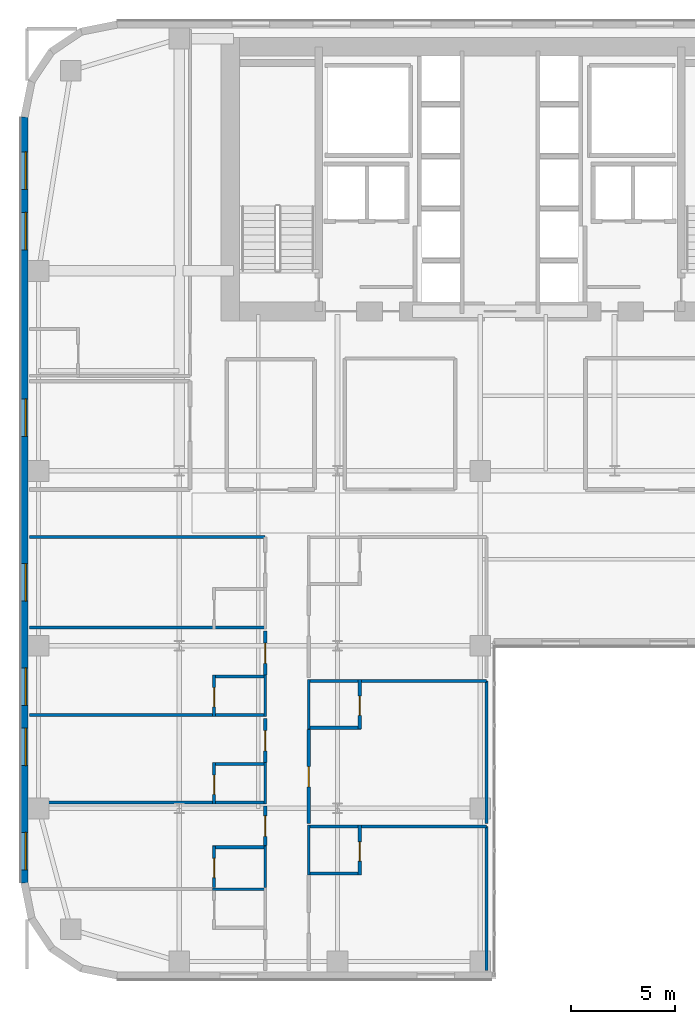
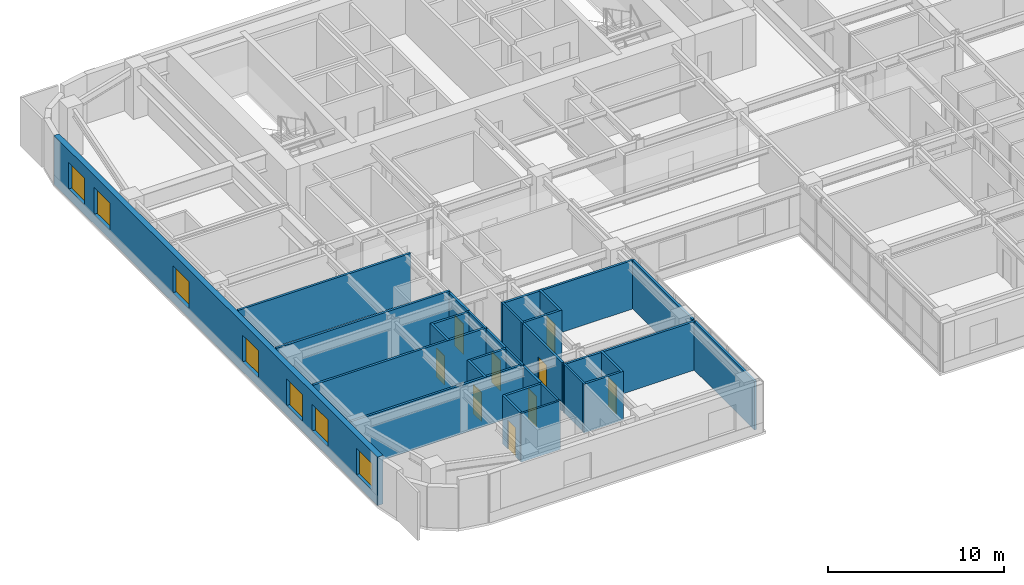
# One storey, part 14 of 25: 31 walls, 9 doors, 7 windows, 16 openings.
"""IFC4 building model written with IfcOpenShell, lengths in metres."""

from ifc_helpers import new_model, si_unit, direction, frame, frame_2d, origin, place, context, subcontext, project, spatial, rectangle, extrude, source, transform, mapped, material, layer, layer_set, type_object, type_shapes, element, fill, save


model = new_model("IFC4")

# Units and contexts
model_context = context("Model", 3, precision=1e-05, world=origin(), true_north=direction((0.0, 1.0)))
body_context = subcontext(model_context, "Body", "Model", "MODEL_VIEW")
ifc_project = project(units=[si_unit("LENGTHUNIT", "METRE"), si_unit("AREAUNIT", "SQUARE_METRE"), si_unit("VOLUMEUNIT", "CUBIC_METRE"), si_unit("PLANEANGLEUNIT", "RADIAN"), si_unit("MASSUNIT", "GRAM", prefix="KILO")], contexts=[model_context])

# Site, building, storey
site_placement = place(None, origin())
site = spatial("IfcSite", under=ifc_project, at=site_placement, CompositionType="ELEMENT")
building_placement = place(site_placement, origin())
building = spatial("IfcBuilding", under=site, at=building_placement, Name="Tolvann Quenvar Hotel", CompositionType="ELEMENT")
storey_placement = place(building_placement, frame((0.0, 0.0, 39.10009765625)))
storey = spatial("IfcBuildingStorey", under=building, at=storey_placement, Name="L08", CompositionType="ELEMENT", Elevation=39.10009765625)

# Wall, openings, windows
ifc_material_1 = material(Name="Kiln-fired red and buff architectural clay brickwork and terracotta masonry", Category="masonry")
ifc_layer_1 = layer(ifc_material_1, 0.35009765625)
ifc_layer_set_1 = layer_set([ifc_layer_1], Name="Kiln-fired red and buff architectural clay brickwork and terracotta masonry")
wall_type_1 = type_object("IfcWallType", Name="WALL_EXT_BRICK_350", PredefinedType="SOLIDWALL", material=ifc_layer_set_1)
wall_1_placement = place(storey_placement, frame((0.175048828125, 41.3828125, 0.0), z_axis=(0.0, 0.0, 1.0), x_axis=(0.0, -1.0, 0.0)))
wall_1 = element("IfcWall", 1, at=wall_1_placement, inside=storey, type_object=wall_type_1, Name="Exterior Chicago Brick Wall L08-E23", PredefinedType="SOLIDWALL", context=body_context, shape_type="SweptSolid", body=[
    extrude(rectangle(XDim=36.765625, YDim=0.35009765625, at=frame_2d((18.3828125, 0.0))), origin(), (0.0, 0.0, 1.0), 3.369873046875),
])
opening_1_placement = place(wall_1_placement, frame((1.676025390625, 0.0, 0.679931640625)))
opening_1 = element("IfcOpeningElement", 2, at=opening_1_placement, cuts=wall_1, Name="Opening W-03", PredefinedType="OPENING", context=body_context, shape_type="SweptSolid", body=[
    extrude(rectangle(XDim=1.800048828125, YDim=1.85009765625, at=frame_2d((0.89990234375, 0.925048828125))), frame((0.0, 0.18505859375, 0.0), z_axis=(0.0, -1.0, 0.0), x_axis=(1.0, 0.0, 0.0)), (0.0, 0.0, 1.0), 0.3701171875),
])
opening_2_placement = place(wall_1_placement, frame((4.577880859375, 0.0, 0.679931640625)))
opening_2 = element("IfcOpeningElement", 3, at=opening_2_placement, cuts=wall_1, Name="Opening W-03", PredefinedType="OPENING", context=body_context, shape_type="SweptSolid", body=[
    extrude(rectangle(XDim=1.800048828125, YDim=1.85009765625, at=frame_2d((0.89990234375, 0.925048828125))), frame((0.0, 0.18505859375, 0.0), z_axis=(0.0, -1.0, 0.0), x_axis=(1.0, 0.0, 0.0)), (0.0, 0.0, 1.0), 0.3701171875),
])
opening_3_placement = place(wall_1_placement, frame((13.531005859375, 0.0, 0.679931640625)))
opening_3 = element("IfcOpeningElement", 4, at=opening_3_placement, cuts=wall_1, Name="Opening W-03", PredefinedType="OPENING", context=body_context, shape_type="SweptSolid", body=[
    extrude(rectangle(XDim=1.800048828125, YDim=1.85009765625, at=frame_2d((0.89990234375, 0.925048828125))), frame((0.0, 0.18505859375, 0.0), z_axis=(0.0, -1.0, 0.0), x_axis=(1.0, 0.0, 0.0)), (0.0, 0.0, 1.0), 0.3701171875),
])
opening_4_placement = place(wall_1_placement, frame((21.43505859375, 0.0, 0.679931640625)))
opening_4 = element("IfcOpeningElement", 5, at=opening_4_placement, cuts=wall_1, Name="Opening W-03", PredefinedType="OPENING", context=body_context, shape_type="SweptSolid", body=[
    extrude(rectangle(XDim=1.800048828125, YDim=1.85009765625, at=frame_2d((0.89990234375, 0.925048828125))), frame((0.0, 0.18505859375, 0.0), z_axis=(0.0, -1.0, 0.0), x_axis=(1.0, 0.0, 0.0)), (0.0, 0.0, 1.0), 0.3701171875),
])
opening_5_placement = place(wall_1_placement, frame((26.43603515625, 0.0, 0.679931640625)))
opening_5 = element("IfcOpeningElement", 6, at=opening_5_placement, cuts=wall_1, Name="Opening W-03", PredefinedType="OPENING", context=body_context, shape_type="SweptSolid", body=[
    extrude(rectangle(XDim=1.800048828125, YDim=1.85009765625, at=frame_2d((0.89990234375, 0.925048828125))), frame((0.0, 0.18505859375, 0.0), z_axis=(0.0, -1.0, 0.0), x_axis=(1.0, 0.0, 0.0)), (0.0, 0.0, 1.0), 0.3701171875),
])
opening_6_placement = place(wall_1_placement, frame((29.337890625, 0.0, 0.679931640625)))
opening_6 = element("IfcOpeningElement", 7, at=opening_6_placement, cuts=wall_1, Name="Opening W-03", PredefinedType="OPENING", context=body_context, shape_type="SweptSolid", body=[
    extrude(rectangle(XDim=1.800048828125, YDim=1.85009765625, at=frame_2d((0.89990234375, 0.925048828125))), frame((0.0, 0.18505859375, 0.0), z_axis=(0.0, -1.0, 0.0), x_axis=(1.0, 0.0, 0.0)), (0.0, 0.0, 1.0), 0.3701171875),
])
opening_7_placement = place(wall_1_placement, frame((34.340087890625, 0.0, 0.679931640625)))
opening_7 = element("IfcOpeningElement", 8, at=opening_7_placement, cuts=wall_1, Name="Opening W-03", PredefinedType="OPENING", context=body_context, shape_type="SweptSolid", body=[
    extrude(rectangle(XDim=1.800048828125, YDim=1.85009765625, at=frame_2d((0.89990234375, 0.925048828125))), frame((0.0, 0.18505859375, 0.0), z_axis=(0.0, -1.0, 0.0), x_axis=(1.0, 0.0, 0.0)), (0.0, 0.0, 1.0), 0.3701171875),
])
ifc_material_2 = material(Name="Thermally broken bronze-anodised aluminium frame with double low-E glazing", Category="aluminium")
window_type = type_object("IfcWindowType", Name="WIN_CHI_1800x2050", PartitioningType="TRIPLE_PANEL_HORIZONTAL", PredefinedType="WINDOW", material=ifc_material_2)
shared_shape_1 = source(origin(), body_context, "Body", "SweptSolid", [
    extrude(rectangle(XDim=1.800048828125, YDim=1.85009765625, at=frame_2d((0.89990234375, 0.925048828125))), frame((0.0, 0.090087890625, 0.0), z_axis=(0.0, -1.0, 0.0), x_axis=(1.0, 0.0, 0.0)), (0.0, 0.0, 1.0), 0.06005859375),
])
type_shapes(window_type, [shared_shape_1])
window_1_placement = place(opening_1_placement, origin())
window_1 = element("IfcWindow", 9, at=window_1_placement, inside=storey, type_object=window_type, Name="Chicago Window W-03 (EW-L08-E23-W01)", OverallHeight=1.85009765625, OverallWidth=1.800048828125, PartitioningType="TRIPLE_PANEL_HORIZONTAL", PredefinedType="WINDOW", context=body_context, shape_type="MappedRepresentation", body=[
    mapped(shared_shape_1, transform((0.0, 0.0, 0.0), x_axis=(1.0, 0.0, 0.0), y_axis=(0.0, 1.0, 0.0), z_axis=(0.0, 0.0, 1.0), scale=1.0)),
])
fill(opening_1, window_1)
window_2_placement = place(opening_2_placement, origin())
window_2 = element("IfcWindow", 10, at=window_2_placement, inside=storey, type_object=window_type, Name="Chicago Window W-03 (EW-L08-E23-W02)", OverallHeight=1.85009765625, OverallWidth=1.800048828125, PartitioningType="TRIPLE_PANEL_HORIZONTAL", PredefinedType="WINDOW", context=body_context, shape_type="MappedRepresentation", body=[
    mapped(shared_shape_1, transform((0.0, 0.0, 0.0), x_axis=(1.0, 0.0, 0.0), y_axis=(0.0, 1.0, 0.0), z_axis=(0.0, 0.0, 1.0), scale=1.0)),
])
fill(opening_2, window_2)
window_3_placement = place(opening_3_placement, origin())
window_3 = element("IfcWindow", 11, at=window_3_placement, inside=storey, type_object=window_type, Name="Chicago Window W-03 (EW-L08-E23-W03)", OverallHeight=1.85009765625, OverallWidth=1.800048828125, PartitioningType="TRIPLE_PANEL_HORIZONTAL", PredefinedType="WINDOW", context=body_context, shape_type="MappedRepresentation", body=[
    mapped(shared_shape_1, transform((0.0, 0.0, 0.0), x_axis=(1.0, 0.0, 0.0), y_axis=(0.0, 1.0, 0.0), z_axis=(0.0, 0.0, 1.0), scale=1.0)),
])
fill(opening_3, window_3)
window_4_placement = place(opening_4_placement, origin())
window_4 = element("IfcWindow", 12, at=window_4_placement, inside=storey, type_object=window_type, Name="Chicago Window W-03 (EW-L08-E23-W04)", OverallHeight=1.85009765625, OverallWidth=1.800048828125, PartitioningType="TRIPLE_PANEL_HORIZONTAL", PredefinedType="WINDOW", context=body_context, shape_type="MappedRepresentation", body=[
    mapped(shared_shape_1, transform((0.0, 0.0, 0.0), x_axis=(1.0, 0.0, 0.0), y_axis=(0.0, 1.0, 0.0), z_axis=(0.0, 0.0, 1.0), scale=1.0)),
])
fill(opening_4, window_4)
window_5_placement = place(opening_5_placement, origin())
window_5 = element("IfcWindow", 13, at=window_5_placement, inside=storey, type_object=window_type, Name="Chicago Window W-03 (EW-L08-E23-W05)", OverallHeight=1.85009765625, OverallWidth=1.800048828125, PartitioningType="TRIPLE_PANEL_HORIZONTAL", PredefinedType="WINDOW", context=body_context, shape_type="MappedRepresentation", body=[
    mapped(shared_shape_1, transform((0.0, 0.0, 0.0), x_axis=(1.0, 0.0, 0.0), y_axis=(0.0, 1.0, 0.0), z_axis=(0.0, 0.0, 1.0), scale=1.0)),
])
fill(opening_5, window_5)
window_6_placement = place(opening_6_placement, origin())
window_6 = element("IfcWindow", 14, at=window_6_placement, inside=storey, type_object=window_type, Name="Chicago Window W-03 (EW-L08-E23-W06)", OverallHeight=1.85009765625, OverallWidth=1.800048828125, PartitioningType="TRIPLE_PANEL_HORIZONTAL", PredefinedType="WINDOW", context=body_context, shape_type="MappedRepresentation", body=[
    mapped(shared_shape_1, transform((0.0, 0.0, 0.0), x_axis=(1.0, 0.0, 0.0), y_axis=(0.0, 1.0, 0.0), z_axis=(0.0, 0.0, 1.0), scale=1.0)),
])
fill(opening_6, window_6)
window_7_placement = place(opening_7_placement, origin())
window_7 = element("IfcWindow", 15, at=window_7_placement, inside=storey, type_object=window_type, Name="Chicago Window W-03 (EW-L08-E23-W07)", OverallHeight=1.85009765625, OverallWidth=1.800048828125, PartitioningType="TRIPLE_PANEL_HORIZONTAL", PredefinedType="WINDOW", context=body_context, shape_type="MappedRepresentation", body=[
    mapped(shared_shape_1, transform((0.0, 0.0, 0.0), x_axis=(1.0, 0.0, 0.0), y_axis=(0.0, 1.0, 0.0), z_axis=(0.0, 0.0, 1.0), scale=1.0)),
])
fill(opening_7, window_7)

# Walls
ifc_material_3 = material(Name="Moisture-resistant acoustic plumbing wall assembly")
ifc_layer_2 = layer(ifc_material_3, 0.1201171875)
ifc_layer_set_2 = layer_set([ifc_layer_2], Name="Moisture-resistant acoustic plumbing wall assembly")
wall_type_2 = type_object("IfcWallType", Name="WALL_PART_BATH_120", PredefinedType="PLUMBINGWALL", material=ifc_layer_set_2)
wall_2_placement = place(storey_placement, frame((9.2099609375, 4.320068359375, 0.0), z_axis=(0.0, 0.0, 1.0), x_axis=(1.0, 0.0, 0.0)))
element("IfcWall", 16, at=wall_2_placement, inside=storey, type_object=wall_type_2, Name="Non-Rated Plumbing Partition PT-SPC-L08-ENS-WO01-N", PredefinedType="PLUMBINGWALL", context=body_context, shape_type="SweptSolid", body=[
    extrude(rectangle(XDim=2.590087890625, YDim=0.1201171875, at=frame_2d((1.294921875, 0.0))), origin(), (0.0, 0.0, 1.0), 3.369873046875),
])
for number, where, z_axis, x_axis, name in (
    (17, (11.72998046875, 4.409912109375, 0.0), (0.0, 0.0, 1.0), (0.0, 1.0, 0.0), "Non-Rated Plumbing Partition PT-SPC-L08-ENS-WO02-E"),
    (18, (11.72998046875, 8.409912109375, 0.0), (0.0, 0.0, 1.0), (0.0, 1.0, 0.0), "Non-Rated Plumbing Partition PT-SPC-L08-ENS-WO03-E"),
    (19, (11.72998046875, 12.610107421875, 0.0), (0.0, 0.0, 1.0), (0.0, 1.0, 0.0), "Non-Rated Plumbing Partition PT-SPC-L08-ENS-WO04-E"),
):
    element("IfcWall", number, at=place(storey_placement, frame(where, z_axis=z_axis, x_axis=x_axis)), inside=storey, type_object=wall_type_2, Name=name, PredefinedType="PLUMBINGWALL", context=body_context, shape_type="SweptSolid", body=[
        extrude(rectangle(XDim=1.989990234375, YDim=0.1201171875, at=frame_2d((0.9951171875, 0.0))), origin(), (0.0, 0.0, 1.0), 3.369873046875),
    ])
for number, where, z_axis, x_axis, name in (
    (20, (13.820068359375, 5.0, 0.0), (0.0, 0.0, 1.0), (0.0, 1.0, 0.0), "Non-Rated Plumbing Partition PT-SPC-L08-ENS-WI01-W"),
    (21, (13.820068359375, 12.0, 0.0), (0.0, 0.0, 1.0), (0.0, 1.0, 0.0), "Non-Rated Plumbing Partition PT-SPC-L08-ENS-WI02-W"),
):
    element("IfcWall", number, at=place(storey_placement, frame(where, z_axis=z_axis, x_axis=x_axis)), inside=storey, type_object=wall_type_2, Name=name, PredefinedType="PLUMBINGWALL", context=body_context, shape_type="SweptSolid", body=[
        extrude(rectangle(XDim=2.389892578125, YDim=0.1201171875, at=frame_2d((1.19482421875, 0.0))), origin(), (0.0, 0.0, 1.0), 3.369873046875),
    ])

# Wall, opening, door
ifc_material_4 = material(Name="Acoustic twin-stud fire-rated gypsum plasterboard partition")
ifc_layer_3 = layer(ifc_material_4, 0.14990234375)
ifc_layer_set_3 = layer_set([ifc_layer_3], Name="Acoustic twin-stud fire-rated gypsum plasterboard partition")
wall_type_3 = type_object("IfcWallType", Name="WALL_PART_SUITE_150", PredefinedType="PARTITIONING", material=ifc_layer_set_3)
wall_3_placement = place(storey_placement, frame((9.280029296875, 4.409912109375, 0.0), z_axis=(0.0, 0.0, 1.0), x_axis=(0.0, 1.0, 0.0)))
wall_3 = element("IfcWall", 22, at=wall_3_placement, inside=storey, type_object=wall_type_3, Name="Interior Partition PT-SPC-L08-ENS-WO02-ENT", PredefinedType="PARTITIONING", context=body_context, shape_type="SweptSolid", body=[
    extrude(rectangle(XDim=1.989990234375, YDim=0.14990234375, at=frame_2d((0.9951171875, 0.0))), origin(), (0.0, 0.0, 1.0), 3.369873046875),
])
opening_8_placement = place(wall_3_placement, frame((0.465087890625, 0.0, 0.0)))
opening_8 = element("IfcOpeningElement", 23, at=opening_8_placement, cuts=wall_3, Name="Opening WD-01", PredefinedType="OPENING", context=body_context, shape_type="SweptSolid", body=[
    extrude(rectangle(XDim=0.919921875, YDim=2.010009765625, at=frame_2d((0.4599609375, 1.0048828125))), frame((0.0, 0.0849609375, 0.0), z_axis=(0.0, -1.0, 0.0), x_axis=(1.0, 0.0, 0.0)), (0.0, 0.0, 1.0), 0.169921875),
])
ifc_material_5 = material(Name="Solid-core American oak acoustic fire door leaf in steel frame", Category="steel")
door_type_1 = type_object("IfcDoorType", Name="DOOR_WC_920", OperationType="NOTDEFINED", PredefinedType="DOOR", material=ifc_material_5)
shared_shape_2 = source(origin(), body_context, "Body", "SweptSolid", [
    extrude(rectangle(XDim=0.919921875, YDim=2.010009765625, at=frame_2d((0.4599609375, 1.0048828125))), frame((0.0, 0.02490234375, 0.0), z_axis=(0.0, -1.0, 0.0), x_axis=(1.0, 0.0, 0.0)), (0.0, 0.0, 1.0), 0.050048828125),
])
type_shapes(door_type_1, [shared_shape_2])
door_1_placement = place(opening_8_placement, origin())
door_1 = element("IfcDoor", 24, at=door_1_placement, inside=storey, type_object=door_type_1, Name="Interior Door DOOR-SPC-L08-ENS-WO02", OperationType="SINGLE_SWING_LEFT", OverallHeight=2.010009765625, OverallWidth=0.919921875, PredefinedType="DOOR", context=body_context, shape_type="MappedRepresentation", body=[
    mapped(shared_shape_2, transform((0.0, 0.0, 0.0), x_axis=(1.0, 0.0, 0.0), y_axis=(0.0, 1.0, 0.0), z_axis=(0.0, 0.0, 1.0), scale=1.0)),
])
fill(opening_8, door_1)

# Wall
wall_4_placement = place(storey_placement, frame((9.2099609375, 6.330078125, 0.0), z_axis=(0.0, 0.0, 1.0), x_axis=(1.0, 0.0, 0.0)))
element("IfcWall", 25, at=wall_4_placement, inside=storey, type_object=wall_type_3, Name="Interior Partition PT-SPC-L08-ENS-WO02-N", PredefinedType="PARTITIONING", context=body_context, shape_type="SweptSolid", body=[
    extrude(rectangle(XDim=2.590087890625, YDim=0.14990234375, at=frame_2d((1.294921875, 0.0))), origin(), (0.0, 0.0, 1.0), 3.369873046875),
])

# Wall, opening, door
wall_5_placement = place(storey_placement, frame((9.280029296875, 8.409912109375, 0.0), z_axis=(0.0, 0.0, 1.0), x_axis=(0.0, 1.0, 0.0)))
wall_5 = element("IfcWall", 26, at=wall_5_placement, inside=storey, type_object=wall_type_3, Name="Interior Partition PT-SPC-L08-ENS-WO03-ENT", PredefinedType="PARTITIONING", context=body_context, shape_type="SweptSolid", body=[
    extrude(rectangle(XDim=1.989990234375, YDim=0.14990234375, at=frame_2d((0.9951171875, 0.0))), origin(), (0.0, 0.0, 1.0), 3.369873046875),
])
opening_9_placement = place(wall_5_placement, frame((0.465087890625, 0.0, 0.0)))
opening_9 = element("IfcOpeningElement", 27, at=opening_9_placement, cuts=wall_5, Name="Opening WD-01", PredefinedType="OPENING", context=body_context, shape_type="SweptSolid", body=[
    extrude(rectangle(XDim=0.919921875, YDim=2.010009765625, at=frame_2d((0.4599609375, 1.0048828125))), frame((0.0, 0.0849609375, 0.0), z_axis=(0.0, -1.0, 0.0), x_axis=(1.0, 0.0, 0.0)), (0.0, 0.0, 1.0), 0.169921875),
])
door_2_placement = place(opening_9_placement, origin())
door_2 = element("IfcDoor", 28, at=door_2_placement, inside=storey, type_object=door_type_1, Name="Interior Door DOOR-SPC-L08-ENS-WO03", OperationType="SINGLE_SWING_RIGHT", OverallHeight=2.010009765625, OverallWidth=0.919921875, PredefinedType="DOOR", context=body_context, shape_type="MappedRepresentation", body=[
    mapped(shared_shape_2, transform((0.0, 0.0, 0.0), x_axis=(1.0, 0.0, 0.0), y_axis=(0.0, 1.0, 0.0), z_axis=(0.0, 0.0, 1.0), scale=1.0)),
])
fill(opening_9, door_2)

# Walls
wall_6_placement = place(storey_placement, frame((0.405029296875, 8.47998046875, 0.0), z_axis=(0.0, 0.0, 1.0), x_axis=(1.0, 0.0, 0.0)))
element("IfcWall", 29, at=wall_6_placement, inside=storey, type_object=wall_type_3, Name="Interior Partition PT-SPC-L08-ENS-WO03-S", PredefinedType="PARTITIONING", context=body_context, shape_type="SweptSolid", body=[
    extrude(rectangle(XDim=11.39501953125, YDim=0.14990234375, at=frame_2d((5.697509765625, 0.0))), origin(), (0.0, 0.0, 1.0), 3.369873046875),
])
wall_7_placement = place(storey_placement, frame((9.2099609375, 10.330078125, 0.0), z_axis=(0.0, 0.0, 1.0), x_axis=(1.0, 0.0, 0.0)))
element("IfcWall", 30, at=wall_7_placement, inside=storey, type_object=wall_type_3, Name="Interior Partition PT-SPC-L08-ENS-WO03-N", PredefinedType="PARTITIONING", context=body_context, shape_type="SweptSolid", body=[
    extrude(rectangle(XDim=2.590087890625, YDim=0.14990234375, at=frame_2d((1.294921875, 0.0))), origin(), (0.0, 0.0, 1.0), 3.369873046875),
])

# Wall, opening, door
wall_8_placement = place(storey_placement, frame((9.280029296875, 12.610107421875, 0.0), z_axis=(0.0, 0.0, 1.0), x_axis=(0.0, 1.0, 0.0)))
wall_8 = element("IfcWall", 31, at=wall_8_placement, inside=storey, type_object=wall_type_3, Name="Interior Partition PT-SPC-L08-ENS-WO04-ENT", PredefinedType="PARTITIONING", context=body_context, shape_type="SweptSolid", body=[
    extrude(rectangle(XDim=1.989990234375, YDim=0.14990234375, at=frame_2d((0.9951171875, 0.0))), origin(), (0.0, 0.0, 1.0), 3.369873046875),
])
opening_10_placement = place(wall_8_placement, frame((0.465087890625, 0.0, 0.0)))
opening_10 = element("IfcOpeningElement", 32, at=opening_10_placement, cuts=wall_8, Name="Opening WD-01", PredefinedType="OPENING", context=body_context, shape_type="SweptSolid", body=[
    extrude(rectangle(XDim=0.919921875, YDim=2.010009765625, at=frame_2d((0.4599609375, 1.0048828125))), frame((0.0, 0.0849609375, 0.0), z_axis=(0.0, -1.0, 0.0), x_axis=(1.0, 0.0, 0.0)), (0.0, 0.0, 1.0), 0.169921875),
])
door_3_placement = place(opening_10_placement, origin())
door_3 = element("IfcDoor", 33, at=door_3_placement, inside=storey, type_object=door_type_1, Name="Interior Door DOOR-SPC-L08-ENS-WO04", OperationType="SINGLE_SWING_LEFT", OverallHeight=2.010009765625, OverallWidth=0.919921875, PredefinedType="DOOR", context=body_context, shape_type="MappedRepresentation", body=[
    mapped(shared_shape_2, transform((0.0, 0.0, 0.0), x_axis=(1.0, 0.0, 0.0), y_axis=(0.0, 1.0, 0.0), z_axis=(0.0, 0.0, 1.0), scale=1.0)),
])
fill(opening_10, door_3)

# Walls
wall_9_placement = place(storey_placement, frame((0.405029296875, 12.679931640625, 0.0), z_axis=(0.0, 0.0, 1.0), x_axis=(1.0, 0.0, 0.0)))
element("IfcWall", 34, at=wall_9_placement, inside=storey, type_object=wall_type_3, Name="Interior Partition PT-SPC-L08-ENS-WO04-S", PredefinedType="PARTITIONING", context=body_context, shape_type="SweptSolid", body=[
    extrude(rectangle(XDim=11.39501953125, YDim=0.14990234375, at=frame_2d((5.697509765625, 0.0))), origin(), (0.0, 0.0, 1.0), 3.369873046875),
])
wall_10_placement = place(storey_placement, frame((9.2099609375, 14.530029296875, 0.0), z_axis=(0.0, 0.0, 1.0), x_axis=(1.0, 0.0, 0.0)))
element("IfcWall", 35, at=wall_10_placement, inside=storey, type_object=wall_type_3, Name="Interior Partition PT-SPC-L08-ENS-WO04-N", PredefinedType="PARTITIONING", context=body_context, shape_type="SweptSolid", body=[
    extrude(rectangle(XDim=2.590087890625, YDim=0.14990234375, at=frame_2d((1.294921875, 0.0))), origin(), (0.0, 0.0, 1.0), 3.369873046875),
])
wall_11_placement = place(storey_placement, frame((0.405029296875, 16.8798828125, 0.0), z_axis=(0.0, 0.0, 1.0), x_axis=(1.0, 0.0, 0.0)))
element("IfcWall", 36, at=wall_11_placement, inside=storey, type_object=wall_type_3, Name="Interior Partition PT-SPC-L08-ENS-WO05-S", PredefinedType="PARTITIONING", context=body_context, shape_type="SweptSolid", body=[
    extrude(rectangle(XDim=11.39501953125, YDim=0.14990234375, at=frame_2d((5.697509765625, 0.0))), origin(), (0.0, 0.0, 1.0), 3.369873046875),
])

# Wall, opening, door
wall_12_placement = place(storey_placement, frame((16.27001953125, 5.0, 0.0), z_axis=(0.0, 0.0, 1.0), x_axis=(0.0, 1.0, 0.0)))
wall_12 = element("IfcWall", 37, at=wall_12_placement, inside=storey, type_object=wall_type_3, Name="Interior Partition PT-SPC-L08-ENS-WI01-ENT", PredefinedType="PARTITIONING", context=body_context, shape_type="SweptSolid", body=[
    extrude(rectangle(XDim=2.389892578125, YDim=0.14990234375, at=frame_2d((1.19482421875, 0.0))), origin(), (0.0, 0.0, 1.0), 3.369873046875),
])
opening_11_placement = place(wall_12_placement, frame((0.6650390625, 0.0, 0.0)))
opening_11 = element("IfcOpeningElement", 38, at=opening_11_placement, cuts=wall_12, Name="Opening WD-01", PredefinedType="OPENING", context=body_context, shape_type="SweptSolid", body=[
    extrude(rectangle(XDim=0.919921875, YDim=2.010009765625, at=frame_2d((0.4599609375, 1.0048828125))), frame((0.0, 0.0849609375, 0.0), z_axis=(0.0, -1.0, 0.0), x_axis=(1.0, 0.0, 0.0)), (0.0, 0.0, 1.0), 0.169921875),
])
door_4_placement = place(opening_11_placement, origin())
door_4 = element("IfcDoor", 39, at=door_4_placement, inside=storey, type_object=door_type_1, Name="Interior Door DOOR-SPC-L08-ENS-WI01", OperationType="SINGLE_SWING_LEFT", OverallHeight=2.010009765625, OverallWidth=0.919921875, PredefinedType="DOOR", context=body_context, shape_type="MappedRepresentation", body=[
    mapped(shared_shape_2, transform((0.0, 0.0, 0.0), x_axis=(1.0, 0.0, 0.0), y_axis=(0.0, 1.0, 0.0), z_axis=(0.0, 0.0, 1.0), scale=1.0)),
])
fill(opening_11, door_4)

# Walls
for number, where, z_axis, x_axis, name in (
    (40, (13.75, 5.070068359375, 0.0), (0.0, 0.0, 1.0), (1.0, 0.0, 0.0), "Interior Partition PT-SPC-L08-ENS-WI01-S"),
    (41, (13.75, 7.320068359375, 0.0), (0.0, 0.0, 1.0), (1.0, 0.0, 0.0), "Interior Partition PT-SPC-L08-ENS-WI01-N"),
):
    element("IfcWall", number, at=place(storey_placement, frame(where, z_axis=z_axis, x_axis=x_axis)), inside=storey, type_object=wall_type_3, Name=name, PredefinedType="PARTITIONING", context=body_context, shape_type="SweptSolid", body=[
        extrude(rectangle(XDim=2.590087890625, YDim=0.14990234375, at=frame_2d((1.294921875, 0.0))), origin(), (0.0, 0.0, 1.0), 3.369873046875),
    ])

# Wall, opening, door
wall_13_placement = place(storey_placement, frame((16.27001953125, 12.0, 0.0), z_axis=(0.0, 0.0, 1.0), x_axis=(0.0, 1.0, 0.0)))
wall_13 = element("IfcWall", 42, at=wall_13_placement, inside=storey, type_object=wall_type_3, Name="Interior Partition PT-SPC-L08-ENS-WI02-ENT", PredefinedType="PARTITIONING", context=body_context, shape_type="SweptSolid", body=[
    extrude(rectangle(XDim=2.389892578125, YDim=0.14990234375, at=frame_2d((1.19482421875, 0.0))), origin(), (0.0, 0.0, 1.0), 3.369873046875),
])
opening_12_placement = place(wall_13_placement, frame((0.6650390625, 0.0, 0.0)))
opening_12 = element("IfcOpeningElement", 43, at=opening_12_placement, cuts=wall_13, Name="Opening WD-01", PredefinedType="OPENING", context=body_context, shape_type="SweptSolid", body=[
    extrude(rectangle(XDim=0.919921875, YDim=2.010009765625, at=frame_2d((0.4599609375, 1.0048828125))), frame((0.0, 0.0849609375, 0.0), z_axis=(0.0, -1.0, 0.0), x_axis=(1.0, 0.0, 0.0)), (0.0, 0.0, 1.0), 0.169921875),
])
door_5_placement = place(opening_12_placement, origin())
door_5 = element("IfcDoor", 44, at=door_5_placement, inside=storey, type_object=door_type_1, Name="Interior Door DOOR-SPC-L08-ENS-WI02", OperationType="SINGLE_SWING_RIGHT", OverallHeight=2.010009765625, OverallWidth=0.919921875, PredefinedType="DOOR", context=body_context, shape_type="MappedRepresentation", body=[
    mapped(shared_shape_2, transform((0.0, 0.0, 0.0), x_axis=(1.0, 0.0, 0.0), y_axis=(0.0, 1.0, 0.0), z_axis=(0.0, 0.0, 1.0), scale=1.0)),
])
fill(opening_12, door_5)

# Walls
for number, where, z_axis, x_axis, name in (
    (45, (13.75, 12.070068359375, 0.0), (0.0, 0.0, 1.0), (1.0, 0.0, 0.0), "Interior Partition PT-SPC-L08-ENS-WI02-S"),
    (46, (13.75, 14.320068359375, 0.0), (0.0, 0.0, 1.0), (1.0, 0.0, 0.0), "Interior Partition PT-SPC-L08-ENS-WI02-N"),
):
    element("IfcWall", number, at=place(storey_placement, frame(where, z_axis=z_axis, x_axis=x_axis)), inside=storey, type_object=wall_type_3, Name=name, PredefinedType="PARTITIONING", context=body_context, shape_type="SweptSolid", body=[
        extrude(rectangle(XDim=2.590087890625, YDim=0.14990234375, at=frame_2d((1.294921875, 0.0))), origin(), (0.0, 0.0, 1.0), 3.369873046875),
    ])

# Wall, opening, door
wall_14_placement = place(storey_placement, frame((11.72998046875, 6.409912109375, 0.0), z_axis=(0.0, 0.0, 1.0), x_axis=(0.0, 1.0, 0.0)))
wall_14 = element("IfcWall", 47, at=wall_14_placement, inside=storey, type_object=wall_type_3, Name="Interior Partition PT-SPC-L08-RM-WO02-ENT", PredefinedType="PARTITIONING", context=body_context, shape_type="SweptSolid", body=[
    extrude(rectangle(XDim=1.91015625, YDim=0.14990234375, at=frame_2d((0.955078125, 0.0))), origin(), (0.0, 0.0, 1.0), 3.369873046875),
])
opening_13_placement = place(wall_14_placement, frame((0.445068359375, 0.0, 0.0)))
opening_13 = element("IfcOpeningElement", 48, at=opening_13_placement, cuts=wall_14, Name="Opening SD-01", PredefinedType="OPENING", context=body_context, shape_type="SweptSolid", body=[
    extrude(rectangle(XDim=0.97998046875, YDim=2.1201171875, at=frame_2d((0.489990234375, 1.06005859375))), frame((0.0, 0.0849609375, 0.0), z_axis=(0.0, -1.0, 0.0), x_axis=(1.0, 0.0, 0.0)), (0.0, 0.0, 1.0), 0.169921875),
])
door_type_2 = type_object("IfcDoorType", Name="DOOR_SUITE_980", OperationType="NOTDEFINED", PredefinedType="DOOR", material=ifc_material_5)
shared_shape_3 = source(origin(), body_context, "Body", "SweptSolid", [
    extrude(rectangle(XDim=0.97998046875, YDim=2.1201171875, at=frame_2d((0.489990234375, 1.06005859375))), frame((0.0, 0.02490234375, 0.0), z_axis=(0.0, -1.0, 0.0), x_axis=(1.0, 0.0, 0.0)), (0.0, 0.0, 1.0), 0.050048828125),
])
type_shapes(door_type_2, [shared_shape_3])
door_6_placement = place(opening_13_placement, origin())
door_6 = element("IfcDoor", 49, at=door_6_placement, inside=storey, type_object=door_type_2, Name="Interior Door DOOR-SPC-L08-RM-WO02", OperationType="SINGLE_SWING_LEFT", OverallHeight=2.1201171875, OverallWidth=0.97998046875, PredefinedType="DOOR", context=body_context, shape_type="MappedRepresentation", body=[
    mapped(shared_shape_3, transform((0.0, 0.0, 0.0), x_axis=(1.0, 0.0, 0.0), y_axis=(0.0, 1.0, 0.0), z_axis=(0.0, 0.0, 1.0), scale=1.0)),
])
fill(opening_13, door_6)

wall_15_placement = place(storey_placement, frame((11.72998046875, 10.409912109375, 0.0), z_axis=(0.0, 0.0, 1.0), x_axis=(0.0, 1.0, 0.0)))
wall_15 = element("IfcWall", 50, at=wall_15_placement, inside=storey, type_object=wall_type_3, Name="Interior Partition PT-SPC-L08-RM-WO03-ENT", PredefinedType="PARTITIONING", context=body_context, shape_type="SweptSolid", body=[
    extrude(rectangle(XDim=2.110107421875, YDim=0.14990234375, at=frame_2d((1.05517578125, 0.0))), origin(), (0.0, 0.0, 1.0), 3.369873046875),
])
opening_14_placement = place(wall_15_placement, frame((0.544921875, 0.0, 0.0)))
opening_14 = element("IfcOpeningElement", 51, at=opening_14_placement, cuts=wall_15, Name="Opening SD-01", PredefinedType="OPENING", context=body_context, shape_type="SweptSolid", body=[
    extrude(rectangle(XDim=0.97998046875, YDim=2.1201171875, at=frame_2d((0.489990234375, 1.06005859375))), frame((0.0, 0.0849609375, 0.0), z_axis=(0.0, -1.0, 0.0), x_axis=(1.0, 0.0, 0.0)), (0.0, 0.0, 1.0), 0.169921875),
])
door_7_placement = place(opening_14_placement, origin())
door_7 = element("IfcDoor", 52, at=door_7_placement, inside=storey, type_object=door_type_2, Name="Interior Door DOOR-SPC-L08-RM-WO03", OperationType="SINGLE_SWING_RIGHT", OverallHeight=2.1201171875, OverallWidth=0.97998046875, PredefinedType="DOOR", context=body_context, shape_type="MappedRepresentation", body=[
    mapped(shared_shape_3, transform((0.0, 0.0, 0.0), x_axis=(1.0, 0.0, 0.0), y_axis=(0.0, 1.0, 0.0), z_axis=(0.0, 0.0, 1.0), scale=1.0)),
])
fill(opening_14, door_7)

wall_16_placement = place(storey_placement, frame((11.72998046875, 14.610107421875, 0.0), z_axis=(0.0, 0.0, 1.0), x_axis=(0.0, 1.0, 0.0)))
wall_16 = element("IfcWall", 53, at=wall_16_placement, inside=storey, type_object=wall_type_3, Name="Interior Partition PT-SPC-L08-RM-WO04-ENT", PredefinedType="PARTITIONING", context=body_context, shape_type="SweptSolid", body=[
    extrude(rectangle(XDim=2.10986328125, YDim=0.14990234375, at=frame_2d((1.054931640625, 0.0))), origin(), (0.0, 0.0, 1.0), 3.369873046875),
])
opening_15_placement = place(wall_16_placement, frame((0.544921875, 0.0, 0.0)))
opening_15 = element("IfcOpeningElement", 54, at=opening_15_placement, cuts=wall_16, Name="Opening SD-01", PredefinedType="OPENING", context=body_context, shape_type="SweptSolid", body=[
    extrude(rectangle(XDim=0.97998046875, YDim=2.1201171875, at=frame_2d((0.489990234375, 1.06005859375))), frame((0.0, 0.0849609375, 0.0), z_axis=(0.0, -1.0, 0.0), x_axis=(1.0, 0.0, 0.0)), (0.0, 0.0, 1.0), 0.169921875),
])
door_8_placement = place(opening_15_placement, origin())
door_8 = element("IfcDoor", 55, at=door_8_placement, inside=storey, type_object=door_type_2, Name="Interior Door DOOR-SPC-L08-RM-WO04", OperationType="SINGLE_SWING_LEFT", OverallHeight=2.1201171875, OverallWidth=0.97998046875, PredefinedType="DOOR", context=body_context, shape_type="MappedRepresentation", body=[
    mapped(shared_shape_3, transform((0.0, 0.0, 0.0), x_axis=(1.0, 0.0, 0.0), y_axis=(0.0, 1.0, 0.0), z_axis=(0.0, 0.0, 1.0), scale=1.0)),
])
fill(opening_15, door_8)

# Walls
wall_17_placement = place(storey_placement, frame((0.405029296875, 21.219970703125, 0.0), z_axis=(0.0, 0.0, 1.0), x_axis=(1.0, 0.0, 0.0)))
element("IfcWall", 56, at=wall_17_placement, inside=storey, type_object=wall_type_3, Name="Interior Partition PT-SPC-L08-RM-WO05-E5", PredefinedType="PARTITIONING", context=body_context, shape_type="SweptSolid", body=[
    extrude(rectangle(XDim=11.324951171875, YDim=0.14990234375, at=frame_2d((5.66259765625, 0.0))), origin(), (0.0, 0.0, 1.0), 3.369873046875),
])
wall_18_placement = place(storey_placement, frame((22.35009765625, 0.405029296875, 0.0), z_axis=(0.0, 0.0, 1.0), x_axis=(0.0, 1.0, 0.0)))
element("IfcWall", 57, at=wall_18_placement, inside=storey, type_object=wall_type_3, Name="Interior Partition PT-SPC-L08-RM-WI01-E2", PredefinedType="PARTITIONING", context=body_context, shape_type="SweptSolid", body=[
    extrude(rectangle(XDim=6.9150390625, YDim=0.14990234375, at=frame_2d((3.45751953125, 0.0))), origin(), (0.0, 0.0, 1.0), 3.369873046875),
])
wall_19_placement = place(storey_placement, frame((16.2900390625, 7.320068359375, 0.0), z_axis=(0.0, 0.0, 1.0), x_axis=(1.0, 0.0, 0.0)))
element("IfcWall", 58, at=wall_19_placement, inside=storey, type_object=wall_type_3, Name="Interior Partition PT-SPC-L08-RM-WI01-E3", PredefinedType="PARTITIONING", context=body_context, shape_type="SweptSolid", body=[
    extrude(rectangle(XDim=6.06005859375, YDim=0.14990234375, at=frame_2d((3.030029296875, 0.0))), origin(), (0.0, 0.0, 1.0), 3.369873046875),
])

# Wall, opening, door
wall_20_placement = place(storey_placement, frame((13.820068359375, 7.47998046875, 0.0), z_axis=(0.0, 0.0, 1.0), x_axis=(0.0, 1.0, 0.0)))
wall_20 = element("IfcWall", 59, at=wall_20_placement, inside=storey, type_object=wall_type_3, Name="Interior Partition PT-SPC-L08-RM-WI02-ENT", PredefinedType="PARTITIONING", context=body_context, shape_type="SweptSolid", body=[
    extrude(rectangle(XDim=4.510009765625, YDim=0.14990234375, at=frame_2d((2.2548828125, 0.0))), origin(), (0.0, 0.0, 1.0), 3.369873046875),
])
opening_16_placement = place(wall_20_placement, frame((1.7451171875, 0.0, 0.0)))
opening_16 = element("IfcOpeningElement", 60, at=opening_16_placement, cuts=wall_20, Name="Opening SD-01", PredefinedType="OPENING", context=body_context, shape_type="SweptSolid", body=[
    extrude(rectangle(XDim=0.97998046875, YDim=2.1201171875, at=frame_2d((0.489990234375, 1.06005859375))), frame((0.0, 0.0849609375, 0.0), z_axis=(0.0, -1.0, 0.0), x_axis=(1.0, 0.0, 0.0)), (0.0, 0.0, 1.0), 0.169921875),
])
door_9_placement = place(opening_16_placement, origin())
door_9 = element("IfcDoor", 61, at=door_9_placement, inside=storey, type_object=door_type_2, Name="Interior Door DOOR-SPC-L08-RM-WI02", OperationType="SINGLE_SWING_RIGHT", OverallHeight=2.1201171875, OverallWidth=0.97998046875, PredefinedType="DOOR", context=body_context, shape_type="MappedRepresentation", body=[
    mapped(shared_shape_3, transform((0.0, 0.0, 0.0), x_axis=(1.0, 0.0, 0.0), y_axis=(0.0, 1.0, 0.0), z_axis=(0.0, 0.0, 1.0), scale=1.0)),
])
fill(opening_16, door_9)

# Walls
wall_21_placement = place(storey_placement, frame((22.35009765625, 7.47998046875, 0.0), z_axis=(0.0, 0.0, 1.0), x_axis=(0.0, 1.0, 0.0)))
element("IfcWall", 62, at=wall_21_placement, inside=storey, type_object=wall_type_3, Name="Interior Partition PT-SPC-L08-RM-WI02-E2", PredefinedType="PARTITIONING", context=body_context, shape_type="SweptSolid", body=[
    extrude(rectangle(XDim=6.840087890625, YDim=0.14990234375, at=frame_2d((3.419921875, 0.0))), origin(), (0.0, 0.0, 1.0), 3.369873046875),
])
wall_22_placement = place(storey_placement, frame((16.2900390625, 14.320068359375, 0.0), z_axis=(0.0, 0.0, 1.0), x_axis=(1.0, 0.0, 0.0)))
element("IfcWall", 63, at=wall_22_placement, inside=storey, type_object=wall_type_3, Name="Interior Partition PT-SPC-L08-RM-WI02-E3", PredefinedType="PARTITIONING", context=body_context, shape_type="SweptSolid", body=[
    extrude(rectangle(XDim=6.06005859375, YDim=0.14990234375, at=frame_2d((3.030029296875, 0.0))), origin(), (0.0, 0.0, 1.0), 3.369873046875),
])

save(model, "model.ifc")
